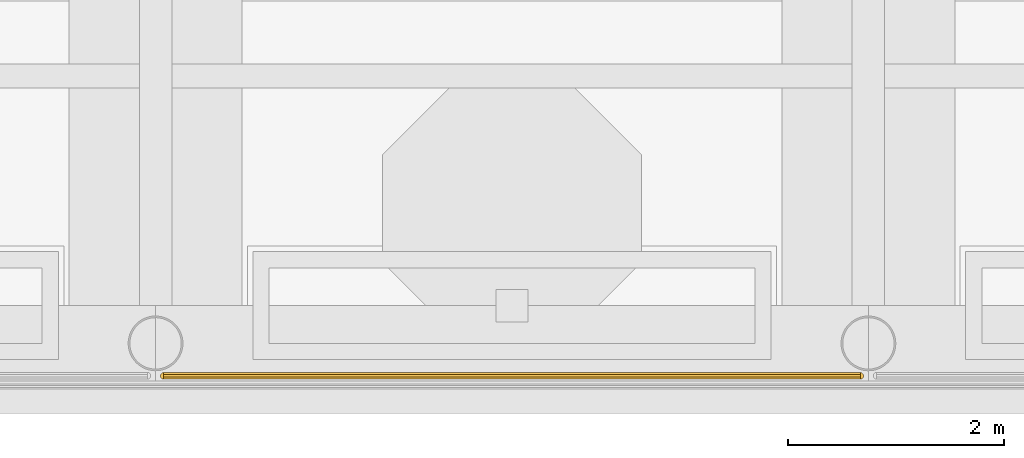
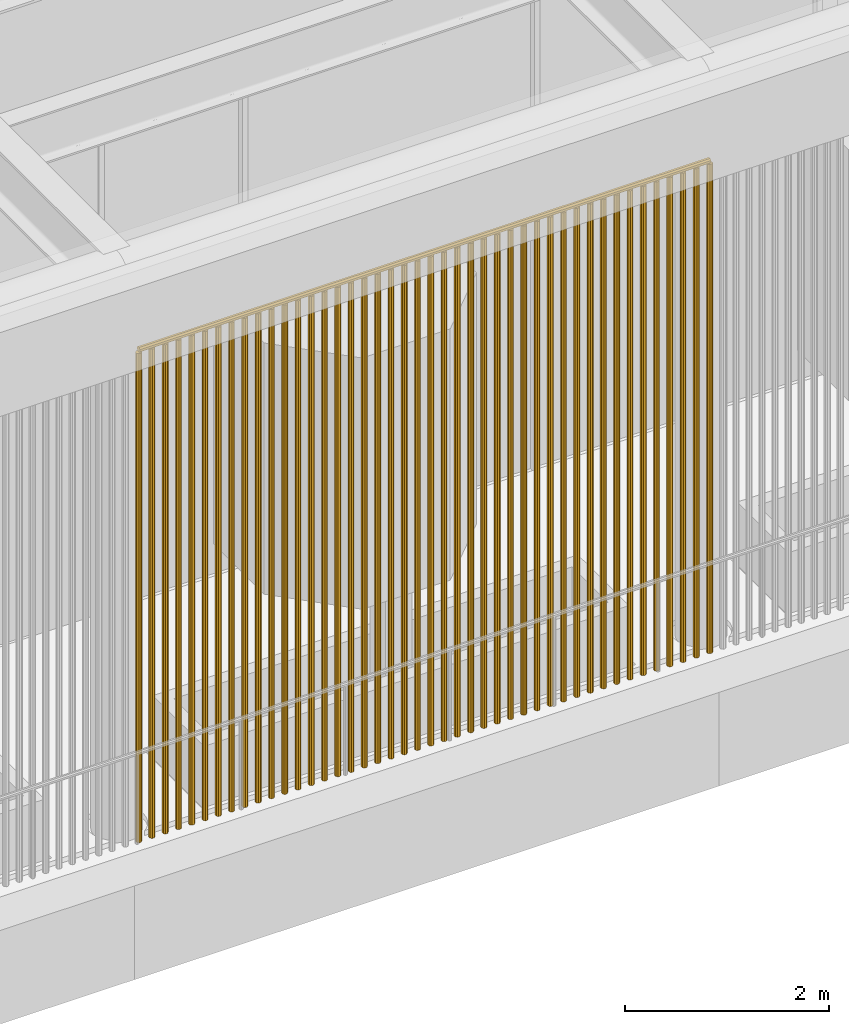
# One storey, part 11 of 22: 1 covering.
"""IFC4 building model written with IfcOpenShell, lengths in metres."""

import ifcopenshell
import ifcopenshell.guid

model = None  # the IFC model being written
_history = None  # IfcOwnerHistory: only IFC2X3 demands one
_inside = {}  # id of a spatial element -> (the spatial element, [elements in it])
_under = {}  # id of a project, library or spatial element -> (it, [spatial elements below it])
_declared = {}  # id of a project -> (the project, [libraries it declares])
_typed = {}  # id of a type object -> (the type object, [elements of that type])
_made_of = {}  # id of a material, layer set ... -> (it, [elements and type objects made of it])


def new_model(schema):
    """Start an empty IFC model of exactly this schema.

    Asked for "IFC4X3", IfcOpenShell would pick the latest addendum, in which some entities
    have other attributes; the version numbers below select the first issue.
    IFC2X3 requires an IfcOwnerHistory on every rooted entity: one is made here for all.
    """
    global model, _history
    if schema == "IFC4X3":
        model = ifcopenshell.file(schema_version=(4, 3, 0, 0))
    else:
        model = ifcopenshell.file(schema=schema)
    _inside.clear()
    _under.clear()
    _declared.clear()
    _typed.clear()
    _made_of.clear()
    _history = None
    if model.schema == "IFC2X3":
        org = make("IfcOrganization", Name="unknown")
        user = make(
            "IfcPersonAndOrganization",
            ThePerson=make("IfcPerson", FamilyName="unknown"),
            TheOrganization=org,
        )
        app = make(
            "IfcApplication",
            ApplicationDeveloper=org,
            Version="unknown",
            ApplicationFullName="unknown",
            ApplicationIdentifier="unknown",
        )
        _history = make(
            "IfcOwnerHistory",
            OwningUser=user,
            OwningApplication=app,
            ChangeAction="ADDED",
            CreationDate=0,
        )
    return model


def make(cls, **values):
    """One entity of the class cls with the attributes given. An attribute that is None is left unset."""
    return model.create_entity(
        cls, **{name: value for name, value in values.items() if value is not None}
    )


def rooted(cls, **values):
    """An entity with a GlobalId (a new one), such as an element, a storey or a relation."""
    return make(cls, GlobalId=ifcopenshell.guid.new(), OwnerHistory=_history, **values)


def si_unit(unit_type, name, prefix=None):
    """IfcSIUnit, for example si_unit("LENGTHUNIT", "METRE", prefix="MILLI")."""
    return make("IfcSIUnit", UnitType=unit_type, Prefix=prefix, Name=name)


def assignment(units):
    """IfcUnitAssignment: the units of a project."""
    return None if units is None else make("IfcUnitAssignment", Units=units)


def point(xyz):
    """IfcCartesianPoint."""
    return None if xyz is None else make("IfcCartesianPoint", Coordinates=xyz)


def direction(xyz):
    """IfcDirection."""
    return None if xyz is None else make("IfcDirection", DirectionRatios=xyz)


def frame(location, z_axis=None, x_axis=None):
    """IfcAxis2Placement3D, a coordinate frame: its origin and axes. An axis left out is left unset."""
    return make(
        "IfcAxis2Placement3D",
        Location=point(location),
        Axis=direction(z_axis),
        RefDirection=direction(x_axis),
    )


def origin():
    """The frame at (0, 0, 0) with its axes left unset."""
    return frame((0.0, 0.0, 0.0))


def place(relative_to, where):
    """IfcLocalPlacement: puts the frame where relative to a parent placement (None: the world)."""
    return make(
        "IfcLocalPlacement", PlacementRelTo=relative_to, RelativePlacement=where
    )


def context(
    kind, dimensions, precision=None, world=None, true_north=None, identifier=None
):
    """IfcGeometricRepresentationContext, for example the 3D "Model" context."""
    return make(
        "IfcGeometricRepresentationContext",
        ContextIdentifier=identifier,
        ContextType=kind,
        CoordinateSpaceDimension=dimensions,
        Precision=precision,
        WorldCoordinateSystem=world,
        TrueNorth=true_north,
    )


def subcontext(parent, identifier, kind, view, scale=None):
    """IfcGeometricRepresentationSubContext, for example "Body" below "Model"."""
    return make(
        "IfcGeometricRepresentationSubContext",
        ContextIdentifier=identifier,
        ContextType=kind,
        ParentContext=parent,
        TargetScale=scale,
        TargetView=view,
    )


def project(units=None, contexts=None):
    """IfcProject with its units and contexts."""
    return rooted(
        "IfcProject",
        Name="project",
        RepresentationContexts=contexts,
        UnitsInContext=assignment(units),
    )


def spatial(cls, under=None, at=None, **own):
    """A site, building, storey or space (cls), placed at a placement, below another one or the project."""
    s = rooted(cls, ObjectPlacement=at, **own)
    if under is not None:
        _under.setdefault(under.id(), (under, []))[1].append(s)
    return s


def polyline(points):
    """IfcPolyline through the points."""
    return make("IfcPolyline", Points=[point(p) for p in points])


def outline(outer, holes=None, kind="AREA"):
    """IfcArbitraryClosedProfileDef: a profile drawn as a closed curve; with holes, ...WithVoids."""
    if holes is None:
        return make("IfcArbitraryClosedProfileDef", ProfileType=kind, OuterCurve=outer)
    return make(
        "IfcArbitraryProfileDefWithVoids",
        ProfileType=kind,
        OuterCurve=outer,
        InnerCurves=holes,
    )


def extrude(swept, where, along, depth):
    """IfcExtrudedAreaSolid: the profile swept, set in the frame where, extruded along a direction by depth."""
    return make(
        "IfcExtrudedAreaSolid",
        SweptArea=swept,
        Position=where,
        ExtrudedDirection=direction(along),
        Depth=depth,
    )


def shape(context_of_items, identifier, shape_type, items):
    """IfcShapeRepresentation: the items that make up one representation, for example the "Body"."""
    return make(
        "IfcShapeRepresentation",
        ContextOfItems=context_of_items,
        RepresentationIdentifier=identifier,
        RepresentationType=shape_type,
        Items=items,
    )


def material(Name=None, Category=None):
    """IfcMaterial."""
    return make("IfcMaterial", Name=Name, Category=Category)


def made_of(thing, what):
    """Note that an element or type object is made of a material, layer set ...; save() writes the relation."""
    if what is not None:
        _made_of.setdefault(what.id(), (what, []))[1].append(thing)
    return thing


def type_object(cls, material=None, **own):
    """A type object (cls), such as IfcWallType, which elements share."""
    return made_of(rooted(cls, **own), material)


def element(
    cls,
    number,
    at=None,
    inside=None,
    cuts=None,
    type_object=None,
    material=None,
    context=None,
    identifier="Body",
    shape_type=None,
    held_by="IfcProductDefinitionShape",
    body=None,
    shapes=None,
    **own,
):
    """One element of the class cls, such as IfcWall. Its Tag is "e" and its number.

    at: its placement. inside: the storey or other place that contains it. cuts: it is an
    opening in that element (IfcRelVoidsElement). A single representation is given by context,
    identifier, shape_type and body (its items); several are given by shapes. held_by: the class
    of the entity that holds the representations. save() writes the other relations.
    """
    e = rooted(cls, Tag="e%d" % number, ObjectPlacement=at, **own)
    if body is not None:
        shapes = [shape(context, identifier, shape_type, body)]
    if shapes is not None:
        e.Representation = make(held_by, Representations=shapes)
    if inside is not None:
        _inside.setdefault(inside.id(), (inside, []))[1].append(e)
    if cuts is not None:
        rooted(
            "IfcRelVoidsElement", RelatingBuildingElement=cuts, RelatedOpeningElement=e
        )
    if type_object is not None:
        _typed.setdefault(type_object.id(), (type_object, []))[1].append(e)
    return made_of(e, material)


def aggregate(whole, parts):
    """IfcRelAggregates: a whole, such as a stair, and the parts it consists of."""
    return rooted("IfcRelAggregates", RelatingObject=whole, RelatedObjects=parts)


def save(model, path):
    """Write the relations noted so far, then the file.

    IfcRelAggregates (storeys below a building ...), IfcRelContainedInSpatialStructure (elements
    in a storey), IfcRelDefinesByType, IfcRelAssociatesMaterial and IfcRelDeclares: one each for
    every whole, place, type object, material and project.
    """
    for whole, parts in _under.values():
        aggregate(whole, parts)
    for where, things in _inside.values():
        rooted(
            "IfcRelContainedInSpatialStructure",
            RelatedElements=things,
            RelatingStructure=where,
        )
    for kind, things in _typed.values():
        rooted("IfcRelDefinesByType", RelatedObjects=things, RelatingType=kind)
    for what, things in _made_of.values():
        rooted("IfcRelAssociatesMaterial", RelatedObjects=things, RelatingMaterial=what)
    for by, libraries in _declared.values():
        rooted("IfcRelDeclares", RelatingContext=by, RelatedDefinitions=libraries)
    model.write(path)


model = new_model("IFC4")

# Units and contexts
model_context = context("Model", 3, precision=1e-05, world=origin(), true_north=direction((0.0, 1.0)))
body_context = subcontext(model_context, "Body", "Model", "MODEL_VIEW")
ifc_project = project(units=[si_unit("LENGTHUNIT", "METRE"), si_unit("AREAUNIT", "SQUARE_METRE"), si_unit("VOLUMEUNIT", "CUBIC_METRE"), si_unit("PLANEANGLEUNIT", "RADIAN"), si_unit("MASSUNIT", "GRAM", prefix="KILO")], contexts=[model_context])

# Site, building, storey
site_placement = place(None, origin())
site = spatial("IfcSite", under=ifc_project, at=site_placement, CompositionType="ELEMENT")
building_placement = place(site_placement, origin())
building = spatial("IfcBuilding", under=site, at=building_placement, Name="Cobogo Forest Laboratory Tower", CompositionType="ELEMENT")
storey_placement = place(building_placement, frame((0.0, 0.0, 292.800048828125)))
storey = spatial("IfcBuildingStorey", under=building, at=storey_placement, Name="RF", CompositionType="ELEMENT", Elevation=292.800048828125)

# Covering
ifc_material = material(Name="Terracotta baguettes on a galvanised steel top rail", Category="masonry")
covering_type = type_object("IfcCoveringType", Name="CS1 crown terracotta baguette screen", PredefinedType="CLADDING", material=ifc_material)
covering_placement = place(storey_placement, frame((26.47509765625, 3.0, -0.0009765625)))
element("IfcCovering", 1, at=covering_placement, inside=storey, type_object=covering_type, Name="Crown screen S3", PredefinedType="CLADDING", context=body_context, shape_type="SweptSolid", body=[
    extrude(outline(polyline([(0.02880859375, 0.011962890625), (0.011962890625, 0.02880859375), (-0.011962890625, 0.02880859375), (-0.02880859375, 0.011962890625), (-0.02880859375, -0.011962890625), (-0.011962890625, -0.02880859375), (0.011962890625, -0.02880859375), (0.02880859375, -0.011962890625), (0.02880859375, 0.011962890625)])), frame((0.0, 0.0, 5.873046875), z_axis=(1.0, 0.0, 0.0), x_axis=(0.0, 1.0, 0.0)), (0.0, 0.0, 1.0), 6.449951171875),
    extrude(outline(polyline([(0.02880859375, 0.011962890625), (0.011962890625, 0.02880859375), (-0.011962890625, 0.02880859375), (-0.02880859375, 0.011962890625), (-0.02880859375, -0.011962890625), (-0.011962890625, -0.02880859375), (0.011962890625, -0.02880859375), (0.02880859375, -0.011962890625), (0.02880859375, 0.011962890625)])), origin(), (0.0, 0.0, 1.0), 5.841796875),
    extrude(outline(polyline([(0.02880859375, 0.011962890625), (0.011962890625, 0.02880859375), (-0.011962890625, 0.02880859375), (-0.02880859375, 0.011962890625), (-0.02880859375, -0.011962890625), (-0.011962890625, -0.02880859375), (0.011962890625, -0.02880859375), (0.02880859375, -0.011962890625), (0.02880859375, 0.011962890625)])), frame((0.14990234375, 0.0, 0.0)), (0.0, 0.0, 1.0), 5.841796875),
    extrude(outline(polyline([(0.02880859375, 0.011962890625), (0.011962890625, 0.02880859375), (-0.011962890625, 0.02880859375), (-0.02880859375, 0.011962890625), (-0.02880859375, -0.011962890625), (-0.011962890625, -0.02880859375), (0.011962890625, -0.02880859375), (0.02880859375, -0.011962890625), (0.02880859375, 0.011962890625)])), frame((0.300048828125, 0.0, 0.0)), (0.0, 0.0, 1.0), 5.841796875),
    extrude(outline(polyline([(0.02880859375, 0.011962890625), (0.011962890625, 0.02880859375), (-0.011962890625, 0.02880859375), (-0.02880859375, 0.011962890625), (-0.02880859375, -0.011962890625), (-0.011962890625, -0.02880859375), (0.011962890625, -0.02880859375), (0.02880859375, -0.011962890625), (0.02880859375, 0.011962890625)])), frame((0.449951171875, 0.0, 0.0)), (0.0, 0.0, 1.0), 5.841796875),
    extrude(outline(polyline([(0.02880859375, 0.011962890625), (0.011962890625, 0.02880859375), (-0.011962890625, 0.02880859375), (-0.02880859375, 0.011962890625), (-0.02880859375, -0.011962890625), (-0.011962890625, -0.02880859375), (0.011962890625, -0.02880859375), (0.02880859375, -0.011962890625), (0.02880859375, 0.011962890625)])), frame((0.60009765625, 0.0, 0.0)), (0.0, 0.0, 1.0), 5.841796875),
    extrude(outline(polyline([(0.02880859375, 0.011962890625), (0.011962890625, 0.02880859375), (-0.011962890625, 0.02880859375), (-0.02880859375, 0.011962890625), (-0.02880859375, -0.011962890625), (-0.011962890625, -0.02880859375), (0.011962890625, -0.02880859375), (0.02880859375, -0.011962890625), (0.02880859375, 0.011962890625)])), frame((0.75, 0.0, 0.0)), (0.0, 0.0, 1.0), 5.841796875),
    extrude(outline(polyline([(0.02880859375, 0.011962890625), (0.011962890625, 0.02880859375), (-0.011962890625, 0.02880859375), (-0.02880859375, 0.011962890625), (-0.02880859375, -0.011962890625), (-0.011962890625, -0.02880859375), (0.011962890625, -0.02880859375), (0.02880859375, -0.011962890625), (0.02880859375, 0.011962890625)])), frame((0.89990234375, 0.0, 0.0)), (0.0, 0.0, 1.0), 5.841796875),
    extrude(outline(polyline([(0.02880859375, 0.011962890625), (0.011962890625, 0.02880859375), (-0.011962890625, 0.02880859375), (-0.02880859375, 0.011962890625), (-0.02880859375, -0.011962890625), (-0.011962890625, -0.02880859375), (0.011962890625, -0.02880859375), (0.02880859375, -0.011962890625), (0.02880859375, 0.011962890625)])), frame((1.050048828125, 0.0, 0.0)), (0.0, 0.0, 1.0), 5.841796875),
    extrude(outline(polyline([(0.02880859375, 0.011962890625), (0.011962890625, 0.02880859375), (-0.011962890625, 0.02880859375), (-0.02880859375, 0.011962890625), (-0.02880859375, -0.011962890625), (-0.011962890625, -0.02880859375), (0.011962890625, -0.02880859375), (0.02880859375, -0.011962890625), (0.02880859375, 0.011962890625)])), frame((1.199951171875, 0.0, 0.0)), (0.0, 0.0, 1.0), 5.841796875),
    extrude(outline(polyline([(0.02880859375, 0.011962890625), (0.011962890625, 0.02880859375), (-0.011962890625, 0.02880859375), (-0.02880859375, 0.011962890625), (-0.02880859375, -0.011962890625), (-0.011962890625, -0.02880859375), (0.011962890625, -0.02880859375), (0.02880859375, -0.011962890625), (0.02880859375, 0.011962890625)])), frame((1.35009765625, 0.0, 0.0)), (0.0, 0.0, 1.0), 5.841796875),
    extrude(outline(polyline([(0.02880859375, 0.011962890625), (0.011962890625, 0.02880859375), (-0.011962890625, 0.02880859375), (-0.02880859375, 0.011962890625), (-0.02880859375, -0.011962890625), (-0.011962890625, -0.02880859375), (0.011962890625, -0.02880859375), (0.02880859375, -0.011962890625), (0.02880859375, 0.011962890625)])), frame((1.5, 0.0, 0.0)), (0.0, 0.0, 1.0), 5.841796875),
    extrude(outline(polyline([(0.02880859375, 0.011962890625), (0.011962890625, 0.02880859375), (-0.011962890625, 0.02880859375), (-0.02880859375, 0.011962890625), (-0.02880859375, -0.011962890625), (-0.011962890625, -0.02880859375), (0.011962890625, -0.02880859375), (0.02880859375, -0.011962890625), (0.02880859375, 0.011962890625)])), frame((1.64990234375, 0.0, 0.0)), (0.0, 0.0, 1.0), 5.841796875),
    extrude(outline(polyline([(0.02880859375, 0.011962890625), (0.011962890625, 0.02880859375), (-0.011962890625, 0.02880859375), (-0.02880859375, 0.011962890625), (-0.02880859375, -0.011962890625), (-0.011962890625, -0.02880859375), (0.011962890625, -0.02880859375), (0.02880859375, -0.011962890625), (0.02880859375, 0.011962890625)])), frame((1.800048828125, 0.0, 0.0)), (0.0, 0.0, 1.0), 5.841796875),
    extrude(outline(polyline([(0.02880859375, 0.011962890625), (0.011962890625, 0.02880859375), (-0.011962890625, 0.02880859375), (-0.02880859375, 0.011962890625), (-0.02880859375, -0.011962890625), (-0.011962890625, -0.02880859375), (0.011962890625, -0.02880859375), (0.02880859375, -0.011962890625), (0.02880859375, 0.011962890625)])), frame((1.949951171875, 0.0, 0.0)), (0.0, 0.0, 1.0), 5.841796875),
    extrude(outline(polyline([(0.02880859375, 0.011962890625), (0.011962890625, 0.02880859375), (-0.011962890625, 0.02880859375), (-0.02880859375, 0.011962890625), (-0.02880859375, -0.011962890625), (-0.011962890625, -0.02880859375), (0.011962890625, -0.02880859375), (0.02880859375, -0.011962890625), (0.02880859375, 0.011962890625)])), frame((2.10009765625, 0.0, 0.0)), (0.0, 0.0, 1.0), 5.841796875),
    extrude(outline(polyline([(0.02880859375, 0.011962890625), (0.011962890625, 0.02880859375), (-0.011962890625, 0.02880859375), (-0.02880859375, 0.011962890625), (-0.02880859375, -0.011962890625), (-0.011962890625, -0.02880859375), (0.011962890625, -0.02880859375), (0.02880859375, -0.011962890625), (0.02880859375, 0.011962890625)])), frame((2.25, 0.0, 0.0)), (0.0, 0.0, 1.0), 5.841796875),
    extrude(outline(polyline([(0.02880859375, 0.011962890625), (0.011962890625, 0.02880859375), (-0.011962890625, 0.02880859375), (-0.02880859375, 0.011962890625), (-0.02880859375, -0.011962890625), (-0.011962890625, -0.02880859375), (0.011962890625, -0.02880859375), (0.02880859375, -0.011962890625), (0.02880859375, 0.011962890625)])), frame((2.39990234375, 0.0, 0.0)), (0.0, 0.0, 1.0), 5.841796875),
    extrude(outline(polyline([(0.02880859375, 0.011962890625), (0.011962890625, 0.02880859375), (-0.011962890625, 0.02880859375), (-0.02880859375, 0.011962890625), (-0.02880859375, -0.011962890625), (-0.011962890625, -0.02880859375), (0.011962890625, -0.02880859375), (0.02880859375, -0.011962890625), (0.02880859375, 0.011962890625)])), frame((2.550048828125, 0.0, 0.0)), (0.0, 0.0, 1.0), 5.841796875),
    extrude(outline(polyline([(0.02880859375, 0.011962890625), (0.011962890625, 0.02880859375), (-0.011962890625, 0.02880859375), (-0.02880859375, 0.011962890625), (-0.02880859375, -0.011962890625), (-0.011962890625, -0.02880859375), (0.011962890625, -0.02880859375), (0.02880859375, -0.011962890625), (0.02880859375, 0.011962890625)])), frame((2.699951171875, 0.0, 0.0)), (0.0, 0.0, 1.0), 5.841796875),
    extrude(outline(polyline([(0.02880859375, 0.011962890625), (0.011962890625, 0.02880859375), (-0.011962890625, 0.02880859375), (-0.02880859375, 0.011962890625), (-0.02880859375, -0.011962890625), (-0.011962890625, -0.02880859375), (0.011962890625, -0.02880859375), (0.02880859375, -0.011962890625), (0.02880859375, 0.011962890625)])), frame((2.85009765625, 0.0, 0.0)), (0.0, 0.0, 1.0), 5.841796875),
    extrude(outline(polyline([(0.02880859375, 0.011962890625), (0.011962890625, 0.02880859375), (-0.011962890625, 0.02880859375), (-0.02880859375, 0.011962890625), (-0.02880859375, -0.011962890625), (-0.011962890625, -0.02880859375), (0.011962890625, -0.02880859375), (0.02880859375, -0.011962890625), (0.02880859375, 0.011962890625)])), frame((3.0, 0.0, 0.0)), (0.0, 0.0, 1.0), 5.841796875),
    extrude(outline(polyline([(0.02880859375, 0.011962890625), (0.011962890625, 0.02880859375), (-0.011962890625, 0.02880859375), (-0.02880859375, 0.011962890625), (-0.02880859375, -0.011962890625), (-0.011962890625, -0.02880859375), (0.011962890625, -0.02880859375), (0.02880859375, -0.011962890625), (0.02880859375, 0.011962890625)])), frame((3.14990234375, 0.0, 0.0)), (0.0, 0.0, 1.0), 5.841796875),
    extrude(outline(polyline([(0.02880859375, 0.011962890625), (0.011962890625, 0.02880859375), (-0.011962890625, 0.02880859375), (-0.02880859375, 0.011962890625), (-0.02880859375, -0.011962890625), (-0.011962890625, -0.02880859375), (0.011962890625, -0.02880859375), (0.02880859375, -0.011962890625), (0.02880859375, 0.011962890625)])), frame((3.300048828125, 0.0, 0.0)), (0.0, 0.0, 1.0), 5.841796875),
    extrude(outline(polyline([(0.02880859375, 0.011962890625), (0.011962890625, 0.02880859375), (-0.011962890625, 0.02880859375), (-0.02880859375, 0.011962890625), (-0.02880859375, -0.011962890625), (-0.011962890625, -0.02880859375), (0.011962890625, -0.02880859375), (0.02880859375, -0.011962890625), (0.02880859375, 0.011962890625)])), frame((3.449951171875, 0.0, 0.0)), (0.0, 0.0, 1.0), 5.841796875),
    extrude(outline(polyline([(0.02880859375, 0.011962890625), (0.011962890625, 0.02880859375), (-0.011962890625, 0.02880859375), (-0.02880859375, 0.011962890625), (-0.02880859375, -0.011962890625), (-0.011962890625, -0.02880859375), (0.011962890625, -0.02880859375), (0.02880859375, -0.011962890625), (0.02880859375, 0.011962890625)])), frame((3.599853515625, 0.0, 0.0)), (0.0, 0.0, 1.0), 5.841796875),
    extrude(outline(polyline([(0.02880859375, 0.011962890625), (0.011962890625, 0.02880859375), (-0.011962890625, 0.02880859375), (-0.02880859375, 0.011962890625), (-0.02880859375, -0.011962890625), (-0.011962890625, -0.02880859375), (0.011962890625, -0.02880859375), (0.02880859375, -0.011962890625), (0.02880859375, 0.011962890625)])), frame((3.75, 0.0, 0.0)), (0.0, 0.0, 1.0), 5.841796875),
    extrude(outline(polyline([(0.02880859375, 0.011962890625), (0.011962890625, 0.02880859375), (-0.011962890625, 0.02880859375), (-0.02880859375, 0.011962890625), (-0.02880859375, -0.011962890625), (-0.011962890625, -0.02880859375), (0.011962890625, -0.02880859375), (0.02880859375, -0.011962890625), (0.02880859375, 0.011962890625)])), frame((3.89990234375, 0.0, 0.0)), (0.0, 0.0, 1.0), 5.841796875),
    extrude(outline(polyline([(0.02880859375, 0.011962890625), (0.011962890625, 0.02880859375), (-0.011962890625, 0.02880859375), (-0.02880859375, 0.011962890625), (-0.02880859375, -0.011962890625), (-0.011962890625, -0.02880859375), (0.011962890625, -0.02880859375), (0.02880859375, -0.011962890625), (0.02880859375, 0.011962890625)])), frame((4.050048828125, 0.0, 0.0)), (0.0, 0.0, 1.0), 5.841796875),
    extrude(outline(polyline([(0.02880859375, 0.011962890625), (0.011962890625, 0.02880859375), (-0.011962890625, 0.02880859375), (-0.02880859375, 0.011962890625), (-0.02880859375, -0.011962890625), (-0.011962890625, -0.02880859375), (0.011962890625, -0.02880859375), (0.02880859375, -0.011962890625), (0.02880859375, 0.011962890625)])), frame((4.199951171875, 0.0, 0.0)), (0.0, 0.0, 1.0), 5.841796875),
    extrude(outline(polyline([(0.02880859375, 0.011962890625), (0.011962890625, 0.02880859375), (-0.011962890625, 0.02880859375), (-0.02880859375, 0.011962890625), (-0.02880859375, -0.011962890625), (-0.011962890625, -0.02880859375), (0.011962890625, -0.02880859375), (0.02880859375, -0.011962890625), (0.02880859375, 0.011962890625)])), frame((4.349853515625, 0.0, 0.0)), (0.0, 0.0, 1.0), 5.841796875),
    extrude(outline(polyline([(0.02880859375, 0.011962890625), (0.011962890625, 0.02880859375), (-0.011962890625, 0.02880859375), (-0.02880859375, 0.011962890625), (-0.02880859375, -0.011962890625), (-0.011962890625, -0.02880859375), (0.011962890625, -0.02880859375), (0.02880859375, -0.011962890625), (0.02880859375, 0.011962890625)])), frame((4.5, 0.0, 0.0)), (0.0, 0.0, 1.0), 5.841796875),
    extrude(outline(polyline([(0.02880859375, 0.011962890625), (0.011962890625, 0.02880859375), (-0.011962890625, 0.02880859375), (-0.02880859375, 0.011962890625), (-0.02880859375, -0.011962890625), (-0.011962890625, -0.02880859375), (0.011962890625, -0.02880859375), (0.02880859375, -0.011962890625), (0.02880859375, 0.011962890625)])), frame((4.64990234375, 0.0, 0.0)), (0.0, 0.0, 1.0), 5.841796875),
    extrude(outline(polyline([(0.02880859375, 0.011962890625), (0.011962890625, 0.02880859375), (-0.011962890625, 0.02880859375), (-0.02880859375, 0.011962890625), (-0.02880859375, -0.011962890625), (-0.011962890625, -0.02880859375), (0.011962890625, -0.02880859375), (0.02880859375, -0.011962890625), (0.02880859375, 0.011962890625)])), frame((4.800048828125, 0.0, 0.0)), (0.0, 0.0, 1.0), 5.841796875),
    extrude(outline(polyline([(0.02880859375, 0.011962890625), (0.011962890625, 0.02880859375), (-0.011962890625, 0.02880859375), (-0.02880859375, 0.011962890625), (-0.02880859375, -0.011962890625), (-0.011962890625, -0.02880859375), (0.011962890625, -0.02880859375), (0.02880859375, -0.011962890625), (0.02880859375, 0.011962890625)])), frame((4.949951171875, 0.0, 0.0)), (0.0, 0.0, 1.0), 5.841796875),
    extrude(outline(polyline([(0.02880859375, 0.011962890625), (0.011962890625, 0.02880859375), (-0.011962890625, 0.02880859375), (-0.02880859375, 0.011962890625), (-0.02880859375, -0.011962890625), (-0.011962890625, -0.02880859375), (0.011962890625, -0.02880859375), (0.02880859375, -0.011962890625), (0.02880859375, 0.011962890625)])), frame((5.099853515625, 0.0, 0.0)), (0.0, 0.0, 1.0), 5.841796875),
    extrude(outline(polyline([(0.02880859375, 0.011962890625), (0.011962890625, 0.02880859375), (-0.011962890625, 0.02880859375), (-0.02880859375, 0.011962890625), (-0.02880859375, -0.011962890625), (-0.011962890625, -0.02880859375), (0.011962890625, -0.02880859375), (0.02880859375, -0.011962890625), (0.02880859375, 0.011962890625)])), frame((5.25, 0.0, 0.0)), (0.0, 0.0, 1.0), 5.841796875),
    extrude(outline(polyline([(0.02880859375, 0.011962890625), (0.011962890625, 0.02880859375), (-0.011962890625, 0.02880859375), (-0.02880859375, 0.011962890625), (-0.02880859375, -0.011962890625), (-0.011962890625, -0.02880859375), (0.011962890625, -0.02880859375), (0.02880859375, -0.011962890625), (0.02880859375, 0.011962890625)])), frame((5.39990234375, 0.0, 0.0)), (0.0, 0.0, 1.0), 5.841796875),
    extrude(outline(polyline([(0.02880859375, 0.011962890625), (0.011962890625, 0.02880859375), (-0.011962890625, 0.02880859375), (-0.02880859375, 0.011962890625), (-0.02880859375, -0.011962890625), (-0.011962890625, -0.02880859375), (0.011962890625, -0.02880859375), (0.02880859375, -0.011962890625), (0.02880859375, 0.011962890625)])), frame((5.550048828125, 0.0, 0.0)), (0.0, 0.0, 1.0), 5.841796875),
    extrude(outline(polyline([(0.02880859375, 0.011962890625), (0.011962890625, 0.02880859375), (-0.011962890625, 0.02880859375), (-0.02880859375, 0.011962890625), (-0.02880859375, -0.011962890625), (-0.011962890625, -0.02880859375), (0.011962890625, -0.02880859375), (0.02880859375, -0.011962890625), (0.02880859375, 0.011962890625)])), frame((5.699951171875, 0.0, 0.0)), (0.0, 0.0, 1.0), 5.841796875),
    extrude(outline(polyline([(0.02880859375, 0.011962890625), (0.011962890625, 0.02880859375), (-0.011962890625, 0.02880859375), (-0.02880859375, 0.011962890625), (-0.02880859375, -0.011962890625), (-0.011962890625, -0.02880859375), (0.011962890625, -0.02880859375), (0.02880859375, -0.011962890625), (0.02880859375, 0.011962890625)])), frame((5.849853515625, 0.0, 0.0)), (0.0, 0.0, 1.0), 5.841796875),
    extrude(outline(polyline([(0.02880859375, 0.011962890625), (0.011962890625, 0.02880859375), (-0.011962890625, 0.02880859375), (-0.02880859375, 0.011962890625), (-0.02880859375, -0.011962890625), (-0.011962890625, -0.02880859375), (0.011962890625, -0.02880859375), (0.02880859375, -0.011962890625), (0.02880859375, 0.011962890625)])), frame((6.0, 0.0, 0.0)), (0.0, 0.0, 1.0), 5.841796875),
    extrude(outline(polyline([(0.02880859375, 0.011962890625), (0.011962890625, 0.02880859375), (-0.011962890625, 0.02880859375), (-0.02880859375, 0.011962890625), (-0.02880859375, -0.011962890625), (-0.011962890625, -0.02880859375), (0.011962890625, -0.02880859375), (0.02880859375, -0.011962890625), (0.02880859375, 0.011962890625)])), frame((6.14990234375, 0.0, 0.0)), (0.0, 0.0, 1.0), 5.841796875),
    extrude(outline(polyline([(0.02880859375, 0.011962890625), (0.011962890625, 0.02880859375), (-0.011962890625, 0.02880859375), (-0.02880859375, 0.011962890625), (-0.02880859375, -0.011962890625), (-0.011962890625, -0.02880859375), (0.011962890625, -0.02880859375), (0.02880859375, -0.011962890625), (0.02880859375, 0.011962890625)])), frame((6.300048828125, 0.0, 0.0)), (0.0, 0.0, 1.0), 5.841796875),
    extrude(outline(polyline([(0.02880859375, 0.011962890625), (0.011962890625, 0.02880859375), (-0.011962890625, 0.02880859375), (-0.02880859375, 0.011962890625), (-0.02880859375, -0.011962890625), (-0.011962890625, -0.02880859375), (0.011962890625, -0.02880859375), (0.02880859375, -0.011962890625), (0.02880859375, 0.011962890625)])), frame((6.449951171875, 0.0, 0.0)), (0.0, 0.0, 1.0), 5.841796875),
])

save(model, "model.ifc")
